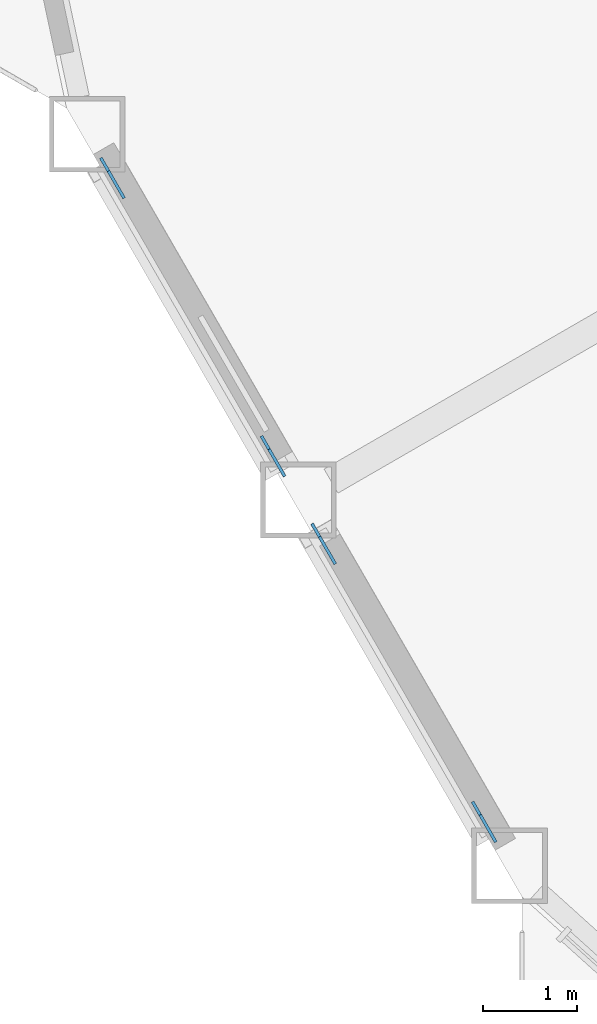
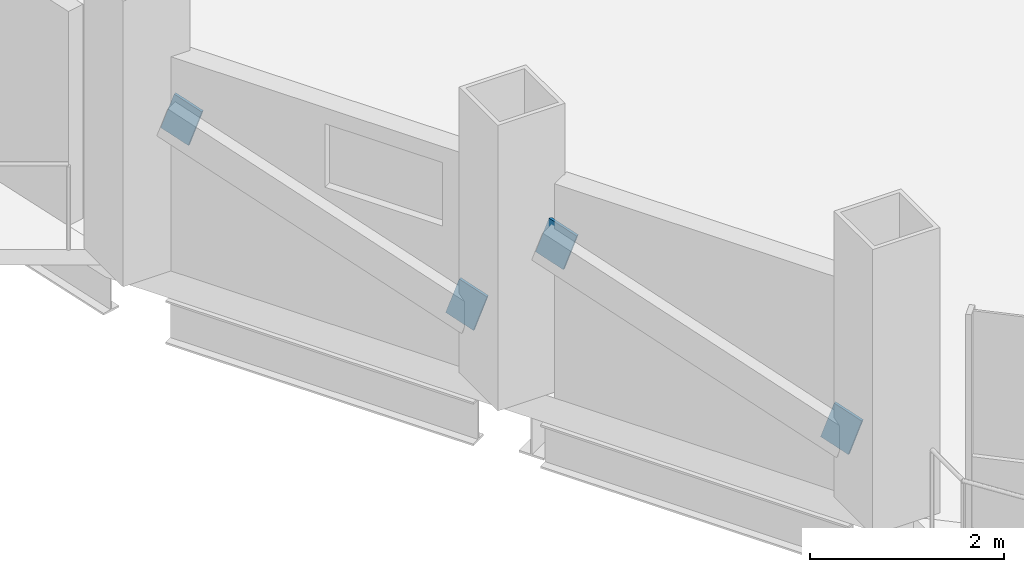
# One storey, part 15 of 22: 4 discrete accessories.
"""IFC4 building model written with IfcOpenShell, lengths in metres."""

from ifc_helpers import new_model, si_unit, direction, frame, origin, origin_2d, place, context, subcontext, project, spatial, rectangle, extrude, material, material_profile, profile_set, type_object, element, save


model = new_model("IFC4")

# Units and contexts
model_context = context("Model", 3, precision=1e-05, world=origin(), true_north=direction((0.0, 1.0)))
body_context = subcontext(model_context, "Body", "Model", "MODEL_VIEW")
ifc_project = project(units=[si_unit("LENGTHUNIT", "METRE"), si_unit("AREAUNIT", "SQUARE_METRE"), si_unit("VOLUMEUNIT", "CUBIC_METRE"), si_unit("PLANEANGLEUNIT", "RADIAN"), si_unit("MASSUNIT", "GRAM", prefix="KILO")], contexts=[model_context])

# Site, building, storey
site_placement = place(None, origin())
site = spatial("IfcSite", under=ifc_project, at=site_placement, CompositionType="ELEMENT")
building_placement = place(site_placement, origin())
building = spatial("IfcBuilding", under=site, at=building_placement, Name="Cormorant Prow Tower", CompositionType="ELEMENT")
storey_placement = place(building_placement, frame((0.0, 0.0, 194.39990234375)))
storey = spatial("IfcBuildingStorey", under=building, at=storey_placement, Name="L42", CompositionType="ELEMENT", Elevation=194.39990234375)

# Discrete accessories
ifc_material = material(Name="Structural steel ASTM A500 Gr C", Category="steel")
ifc_material_profile = material_profile(ifc_material, rectangle(XDim=0.031982421875, YDim=0.506103515625, at=origin_2d()), Name="Gusset plate 32x506")
ifc_profile_set = profile_set([ifc_material_profile], Name="Structural steel ASTM A500 Gr C")
discrete_accessory_type = type_object("IfcDiscreteAccessoryType", Name="Gusset plate 32x506", PredefinedType="BRACKET", material=ifc_profile_set)
discrete_accessory_1_placement = place(storey_placement, frame((-28.40966796875, -15.59228515625, 0.835693359375), z_axis=(0.474172452765, -0.820736730742, -0.318671780755), x_axis=(0.86587923604, 0.500253084543, 0.0)))
element("IfcDiscreteAccessory", 1, at=discrete_accessory_1_placement, inside=storey, type_object=discrete_accessory_type, Name="Gusset plate GP2 L42.WSW00.g0", PredefinedType="BRACKET", context=body_context, shape_type="SweptSolid", body=[
    extrude(rectangle(XDim=0.031982421875, YDim=0.506103515625, at=origin_2d()), origin(), (0.0, 0.0, 1.0), 0.35009765625),
])
discrete_accessory_2_placement = place(storey_placement, frame((-29.943359375, -12.935791015625, 1.865478515625), z_axis=(-0.47373689254, 0.821190460264, 0.318150254784), x_axis=(-0.866197837791, -0.499701216534, 0.0)))
element("IfcDiscreteAccessory", 2, at=discrete_accessory_2_placement, inside=storey, type_object=discrete_accessory_type, Name="Gusset plate GP2 L42.WSW00.g1", PredefinedType="BRACKET", context=body_context, shape_type="SweptSolid", body=[
    extrude(rectangle(XDim=0.031982421875, YDim=0.506103515625, at=origin_2d()), origin(), (0.0, 0.0, 1.0), 0.349853515625),
])
for number, where, z_axis, x_axis, name in (
    (3, (-26.17431640625, -19.463623046875, 0.835693359375), (0.473631655621, -0.821008039272, -0.31877712315), (0.866197837791, 0.499701216534, 0.0), "Gusset plate GP2 L42.WSW01.g0"),
    (4, (-27.7080078125, -16.807373046875, 1.865478515625), (-0.4742777402, 0.820918970906, 0.31804507284), (-0.86587923604, -0.500253084543, 0.0), "Gusset plate GP2 L42.WSW01.g1"),
):
    element("IfcDiscreteAccessory", number, at=place(storey_placement, frame(where, z_axis=z_axis, x_axis=x_axis)), inside=storey, type_object=discrete_accessory_type, Name=name, PredefinedType="BRACKET", context=body_context, shape_type="SweptSolid", body=[
        extrude(rectangle(XDim=0.031982421875, YDim=0.506103515625, at=origin_2d()), origin(), (0.0, 0.0, 1.0), 0.35009765625),
    ])

save(model, "model.ifc")
